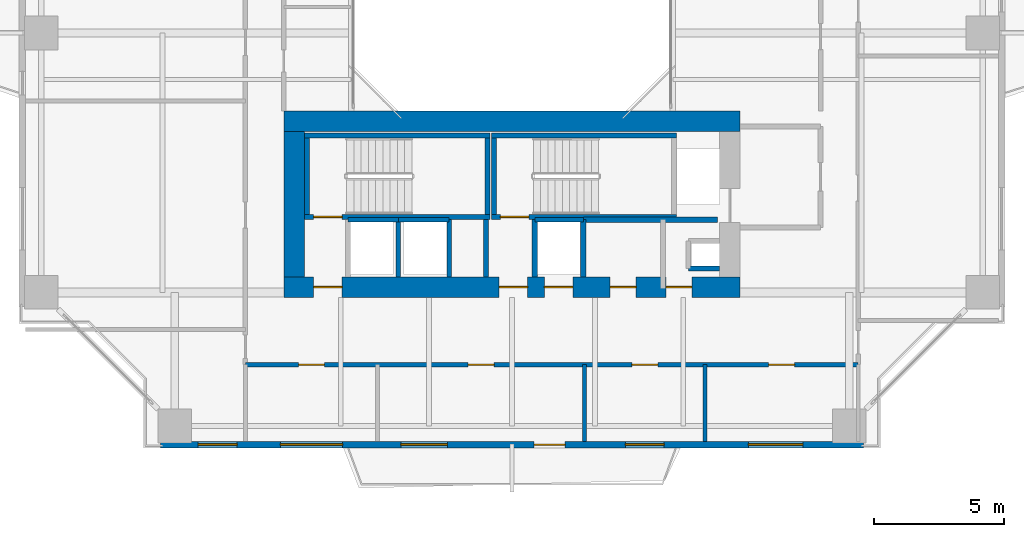
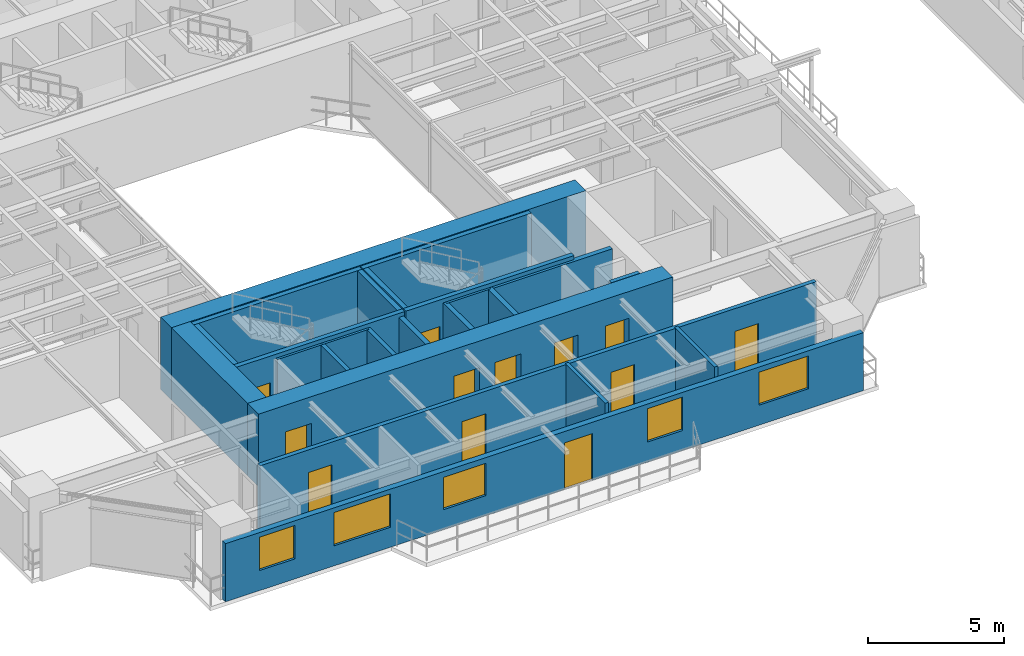
# One storey, part 12 of 23: 24 walls, 12 doors, 5 windows, 17 openings.
"""IFC4 building model written with IfcOpenShell, lengths in metres."""

from ifc_helpers import new_model, si_unit, direction, frame, frame_2d, origin, place, context, subcontext, project, spatial, rectangle, extrude, source, transform, mapped, material, layer, layer_set, type_object, element, fill, save


model = new_model("IFC4")

# Units and contexts
model_context = context("Model", 3, precision=1e-05, world=origin(), true_north=direction((0.0, 1.0)))
body_context = subcontext(model_context, "Body", "Model", "MODEL_VIEW")
ifc_project = project(units=[si_unit("LENGTHUNIT", "METRE"), si_unit("AREAUNIT", "SQUARE_METRE"), si_unit("VOLUMEUNIT", "CUBIC_METRE"), si_unit("PLANEANGLEUNIT", "RADIAN"), si_unit("MASSUNIT", "GRAM", prefix="KILO"), si_unit("THERMODYNAMICTEMPERATUREUNIT", "KELVIN"), si_unit("POWERUNIT", "WATT")], contexts=[model_context])

# Site, building, storey
site_placement = place(None, origin())
site = spatial("IfcSite", under=ifc_project, at=site_placement, CompositionType="ELEMENT")
building_placement = place(site_placement, origin())
building = spatial("IfcBuilding", under=site, at=building_placement, Name="Qiaomeng Ring Towers", CompositionType="ELEMENT")
storey_placement = place(building_placement, frame((0.0, 0.0, 39.25)))
storey = spatial("IfcBuildingStorey", under=building, at=storey_placement, Name="L10", CompositionType="ELEMENT", Elevation=39.25)

# Wall, openings, windows, door
ifc_material_1 = material(Name="Precast concrete C40", Category="concrete")
ifc_layer_1 = layer(ifc_material_1, 0.25, Name="Precast concrete C40")
ifc_layer_set_1 = layer_set([ifc_layer_1], Name="Precast concrete C40")
wall_type_1 = type_object("IfcWallType", Name="ARC-WL-EW1", PredefinedType="STANDARD", material=ifc_layer_set_1)
wall_1_placement = place(storey_placement, frame((5.449951171875, 4.125, 0.0), z_axis=(0.0, 0.0, 1.0), x_axis=(1.0, 0.0, 0.0)))
wall_1 = element("IfcWall", 1, at=wall_1_placement, inside=storey, type_object=wall_type_1, Name="L10 Tower 1 S Exterior Wall", PredefinedType="STANDARD", context=body_context, shape_type="SweptSolid", body=[
    extrude(rectangle(XDim=27.10009765625, YDim=0.25, at=frame_2d((13.550048828125, 0.0))), origin(), (0.0, 0.0, 1.0), 2.610107421875),
])
opening_1_placement = place(wall_1_placement, frame((14.39990234375, 0.0, 0.0)))
opening_1 = element("IfcOpeningElement", 2, at=opening_1_placement, cuts=wall_1, Name="Opening BD1", PredefinedType="OPENING", context=body_context, shape_type="SweptSolid", body=[
    extrude(rectangle(XDim=1.199951171875, YDim=2.10009765625, at=frame_2d((0.60009765625, 1.050048828125))), frame((0.0, 0.135009765625, 0.0), z_axis=(0.0, -1.0, 0.0), x_axis=(1.0, 0.0, 0.0)), (0.0, 0.0, 1.0), 0.27001953125),
])
opening_2_placement = place(wall_1_placement, frame((1.449951171875, 0.0, 0.89990234375)))
opening_2 = element("IfcOpeningElement", 3, at=opening_2_placement, cuts=wall_1, Name="Opening WN2", PredefinedType="OPENING", context=body_context, shape_type="SweptSolid", body=[
    extrude(rectangle(XDim=1.5, YDim=1.5, at=frame_2d((0.75, 0.75))), frame((0.0, 0.135009765625, 0.0), z_axis=(0.0, -1.0, 0.0), x_axis=(1.0, 0.0, 0.0)), (0.0, 0.0, 1.0), 0.27001953125),
])
opening_3_placement = place(wall_1_placement, frame((9.262939453125, 0.0, 0.89990234375)))
opening_3 = element("IfcOpeningElement", 4, at=opening_3_placement, cuts=wall_1, Name="Opening WN1", PredefinedType="OPENING", context=body_context, shape_type="SweptSolid", body=[
    extrude(rectangle(XDim=1.800048828125, YDim=1.449951171875, at=frame_2d((0.89990234375, 0.72509765625))), frame((0.0, 0.135009765625, 0.0), z_axis=(0.0, -1.0, 0.0), x_axis=(1.0, 0.0, 0.0)), (0.0, 0.0, 1.0), 0.27001953125),
])
opening_4_placement = place(wall_1_placement, frame((17.919921875, 0.0, 0.89990234375)))
opening_4 = element("IfcOpeningElement", 5, at=opening_4_placement, cuts=wall_1, Name="Opening WN2", PredefinedType="OPENING", context=body_context, shape_type="SweptSolid", body=[
    extrude(rectangle(XDim=1.5, YDim=1.5, at=frame_2d((0.75, 0.75))), frame((0.0, 0.135009765625, 0.0), z_axis=(0.0, -1.0, 0.0), x_axis=(1.0, 0.0, 0.0)), (0.0, 0.0, 1.0), 0.27001953125),
])
opening_5_placement = place(wall_1_placement, frame((22.6630859375, 0.0, 0.89990234375)))
opening_5 = element("IfcOpeningElement", 6, at=opening_5_placement, cuts=wall_1, Name="Opening WN4", PredefinedType="OPENING", context=body_context, shape_type="SweptSolid", body=[
    extrude(rectangle(XDim=2.10009765625, YDim=1.47998046875, at=frame_2d((1.050048828125, 0.739990234375))), frame((0.0, 0.135009765625, 0.0), z_axis=(0.0, -1.0, 0.0), x_axis=(1.0, 0.0, 0.0)), (0.0, 0.0, 1.0), 0.27001953125),
])
opening_6_placement = place(wall_1_placement, frame((4.6201171875, 0.0, 0.89990234375)))
opening_6 = element("IfcOpeningElement", 7, at=opening_6_placement, cuts=wall_1, Name="Opening WN6", PredefinedType="OPENING", context=body_context, shape_type="SweptSolid", body=[
    extrude(rectangle(XDim=2.39990234375, YDim=1.5, at=frame_2d((1.199951171875, 0.75))), frame((0.0, 0.135009765625, 0.0), z_axis=(0.0, -1.0, 0.0), x_axis=(1.0, 0.0, 0.0)), (0.0, 0.0, 1.0), 0.27001953125),
])
ifc_material_2 = material(Name="Low-E dark-grey laminated double glazing", Category="glass")
window_type_1 = type_object("IfcWindowType", Name="ARC-WN-4", PartitioningType="TRIPLE_PANEL_VERTICAL", PredefinedType="WINDOW", material=ifc_material_2)
shared_shape_1 = source(origin(), body_context, "Body", "SweptSolid", [
    extrude(rectangle(XDim=2.10009765625, YDim=1.47998046875, at=frame_2d((1.050048828125, 0.739990234375))), frame((0.0, 0.030029296875, 0.0), z_axis=(0.0, -1.0, 0.0), x_axis=(1.0, 0.0, 0.0)), (0.0, 0.0, 1.0), 0.06005859375),
])
window_1_placement = place(opening_5_placement, origin())
window_1 = element("IfcWindow", 8, at=window_1_placement, inside=storey, type_object=window_type_1, Name="L10 Exterior Window WN4", OverallHeight=1.47998046875, OverallWidth=2.10009765625, PartitioningType="TRIPLE_PANEL_VERTICAL", PredefinedType="WINDOW", context=body_context, shape_type="MappedRepresentation", body=[
    mapped(shared_shape_1, transform((0.0, 0.0, 0.0), x_axis=(1.0, 0.0, 0.0), y_axis=(0.0, 1.0, 0.0), z_axis=(0.0, 0.0, 1.0), scale=1.0)),
])
fill(opening_5, window_1)
window_type_2 = type_object("IfcWindowType", Name="ARC-WN-1", PartitioningType="DOUBLE_PANEL_VERTICAL", PredefinedType="WINDOW", material=ifc_material_2)
shared_shape_2 = source(origin(), body_context, "Body", "SweptSolid", [
    extrude(rectangle(XDim=1.800048828125, YDim=1.449951171875, at=frame_2d((0.89990234375, 0.72509765625))), frame((0.0, 0.030029296875, 0.0), z_axis=(0.0, -1.0, 0.0), x_axis=(1.0, 0.0, 0.0)), (0.0, 0.0, 1.0), 0.06005859375),
])
window_2_placement = place(opening_3_placement, origin())
window_2 = element("IfcWindow", 9, at=window_2_placement, inside=storey, type_object=window_type_2, Name="L10 Exterior Window WN1", OverallHeight=1.449951171875, OverallWidth=1.800048828125, PartitioningType="DOUBLE_PANEL_VERTICAL", PredefinedType="WINDOW", context=body_context, shape_type="MappedRepresentation", body=[
    mapped(shared_shape_2, transform((0.0, 0.0, 0.0), x_axis=(1.0, 0.0, 0.0), y_axis=(0.0, 1.0, 0.0), z_axis=(0.0, 0.0, 1.0), scale=1.0)),
])
fill(opening_3, window_2)
door_type_1 = type_object("IfcDoorType", Name="ARC-DR-BD1", OperationType="NOTDEFINED", PredefinedType="DOOR", material=ifc_material_2)
shared_shape_3 = source(origin(), body_context, "Body", "SweptSolid", [
    extrude(rectangle(XDim=1.199951171875, YDim=2.10009765625, at=frame_2d((0.60009765625, 1.050048828125))), frame((0.0, 0.02490234375, 0.0), z_axis=(0.0, -1.0, 0.0), x_axis=(1.0, 0.0, 0.0)), (0.0, 0.0, 1.0), 0.050048828125),
])
door_1_placement = place(opening_1_placement, frame((1.199951171875, 0.0, 0.0), z_axis=(0.0, 0.0, 1.0), x_axis=(-1.0, 0.0, 0.0)))
door_1 = element("IfcDoor", 10, at=door_1_placement, inside=storey, type_object=door_type_1, Name="L10 S Balcony Glazed Door", OperationType="SINGLE_SWING_LEFT", OverallHeight=2.10009765625, OverallWidth=1.199951171875, PredefinedType="DOOR", context=body_context, shape_type="MappedRepresentation", body=[
    mapped(shared_shape_3, transform((0.0, 0.0, 0.0), x_axis=(1.0, 0.0, 0.0), y_axis=(0.0, 1.0, 0.0), z_axis=(0.0, 0.0, 1.0), scale=1.0)),
])
fill(opening_1, door_1)
window_type_3 = type_object("IfcWindowType", Name="ARC-WN-2", PartitioningType="DOUBLE_PANEL_VERTICAL", PredefinedType="WINDOW", material=ifc_material_2)
shared_shape_4 = source(origin(), body_context, "Body", "SweptSolid", [
    extrude(rectangle(XDim=1.5, YDim=1.5, at=frame_2d((0.75, 0.75))), frame((0.0, 0.030029296875, 0.0), z_axis=(0.0, -1.0, 0.0), x_axis=(1.0, 0.0, 0.0)), (0.0, 0.0, 1.0), 0.06005859375),
])
window_3_placement = place(opening_2_placement, origin())
window_3 = element("IfcWindow", 11, at=window_3_placement, inside=storey, type_object=window_type_3, Name="L10 Exterior Window WN6", OverallHeight=1.5, OverallWidth=1.5, PartitioningType="TRIPLE_PANEL_VERTICAL", PredefinedType="WINDOW", context=body_context, shape_type="MappedRepresentation", body=[
    mapped(shared_shape_4, transform((0.0, 0.0, 0.0), x_axis=(1.0, 0.0, 0.0), y_axis=(0.0, 1.0, 0.0), z_axis=(0.0, 0.0, 1.0), scale=1.0)),
])
fill(opening_2, window_3)
window_4_placement = place(opening_4_placement, origin())
window_4 = element("IfcWindow", 12, at=window_4_placement, inside=storey, type_object=window_type_3, Name="L10 Exterior Window WN2", OverallHeight=1.5, OverallWidth=1.5, PartitioningType="DOUBLE_PANEL_VERTICAL", PredefinedType="WINDOW", context=body_context, shape_type="MappedRepresentation", body=[
    mapped(shared_shape_4, transform((0.0, 0.0, 0.0), x_axis=(1.0, 0.0, 0.0), y_axis=(0.0, 1.0, 0.0), z_axis=(0.0, 0.0, 1.0), scale=1.0)),
])
fill(opening_4, window_4)
window_type_4 = type_object("IfcWindowType", Name="ARC-WN-6", PartitioningType="TRIPLE_PANEL_VERTICAL", PredefinedType="WINDOW", material=ifc_material_2)
shared_shape_5 = source(origin(), body_context, "Body", "SweptSolid", [
    extrude(rectangle(XDim=2.39990234375, YDim=1.5, at=frame_2d((1.199951171875, 0.75))), frame((0.0, 0.030029296875, 0.0), z_axis=(0.0, -1.0, 0.0), x_axis=(1.0, 0.0, 0.0)), (0.0, 0.0, 1.0), 0.06005859375),
])
window_5_placement = place(opening_6_placement, origin())
window_5 = element("IfcWindow", 13, at=window_5_placement, inside=storey, type_object=window_type_4, Name="L10 Exterior Window WN6", OverallHeight=1.5, OverallWidth=2.39990234375, PartitioningType="TRIPLE_PANEL_VERTICAL", PredefinedType="WINDOW", context=body_context, shape_type="MappedRepresentation", body=[
    mapped(shared_shape_5, transform((0.0, 0.0, 0.0), x_axis=(1.0, 0.0, 0.0), y_axis=(0.0, 1.0, 0.0), z_axis=(0.0, 0.0, 1.0), scale=1.0)),
])
fill(opening_6, window_5)

# Walls
ifc_material_3 = material(Name="Autoclaved aerated concrete block", Category="concrete")
ifc_layer_2 = layer(ifc_material_3, 0.199951171875, Name="Autoclaved aerated concrete block")
ifc_layer_set_2 = layer_set([ifc_layer_2], Name="Autoclaved aerated concrete block")
wall_type_2 = type_object("IfcWallType", Name="ARC-WL-PW1", PredefinedType="PARTITIONING", material=ifc_layer_set_2)
for number, where, z_axis, x_axis, name in (
    (14, (18.0, 10.60009765625, 0.0), (0.0, 0.0, 1.0), (0.0, 1.0, 0.0), "L10 Interior Wall PW1"),
    (15, (19.8798828125, 10.60009765625, 0.0), (0.0, 0.0, 1.0), (0.0, 1.0, 0.0), "L10 Interior Wall PW1"),
):
    element("IfcWall", number, at=place(storey_placement, frame(where, z_axis=z_axis, x_axis=x_axis)), inside=storey, type_object=wall_type_2, Name=name, PredefinedType="PARTITIONING", context=body_context, shape_type="SweptSolid", body=[
        extrude(rectangle(XDim=2.2099609375, YDim=0.199951171875, at=frame_2d((1.10498046875, 0.0))), origin(), (0.0, 0.0, 1.0), 3.070068359375),
    ])
wall_2_placement = place(storey_placement, frame((21.75, 10.60009765625, 0.0), z_axis=(0.0, 0.0, 1.0), x_axis=(0.0, 1.0, 0.0)))
element("IfcWall", 16, at=wall_2_placement, inside=storey, type_object=wall_type_2, Name="L10 Interior Wall PW1", PredefinedType="PARTITIONING", context=body_context, shape_type="SweptSolid", body=[
    extrude(rectangle(XDim=2.199951171875, YDim=0.199951171875, at=frame_2d((1.10009765625, 0.0))), origin(), (0.0, 0.0, 1.0), 3.070068359375),
])
wall_3_placement = place(storey_placement, frame((21.75, 12.800048828125, 0.0), z_axis=(0.0, 0.0, 1.0), x_axis=(1.0, 0.0, 0.0)))
element("IfcWall", 17, at=wall_3_placement, inside=storey, type_object=wall_type_2, Name="L10 Interior Wall PW1", PredefinedType="PARTITIONING", context=body_context, shape_type="SweptSolid", body=[
    extrude(rectangle(XDim=5.169921875, YDim=0.199951171875, at=frame_2d((2.5849609375, 0.0))), origin(), (0.0, 0.0, 1.0), 3.070068359375),
])

# Wall, openings, doors
ifc_layer_3 = layer(ifc_material_3, 0.179931640625, Name="Autoclaved aerated concrete block")
ifc_layer_set_3 = layer_set([ifc_layer_3], Name="Autoclaved aerated concrete block")
wall_type_3 = type_object("IfcWallType", Name="ARC-WL-PW2", PredefinedType="PARTITIONING", material=ifc_layer_set_3)
wall_4_placement = place(storey_placement, frame((8.719970703125, 7.2099609375, 0.0), z_axis=(0.0, 0.0, 1.0), x_axis=(1.0, 0.0, 0.0)))
wall_4 = element("IfcWall", 18, at=wall_4_placement, inside=storey, type_object=wall_type_3, Name="L10 Interior Wall PW2", PredefinedType="PARTITIONING", context=body_context, shape_type="SweptSolid", body=[
    extrude(rectangle(XDim=23.630126953125, YDim=0.179931640625, at=frame_2d((11.81494140625, 0.0))), origin(), (0.0, 0.0, 1.0), 3.070068359375),
])
opening_7_placement = place(wall_4_placement, frame((2.050048828125, 0.0, 0.0)))
opening_7 = element("IfcOpeningElement", 19, at=opening_7_placement, cuts=wall_4, Name="Opening FD4", PredefinedType="OPENING", context=body_context, shape_type="SweptSolid", body=[
    extrude(rectangle(XDim=1.0, YDim=2.050048828125, at=frame_2d((0.5, 1.02490234375))), frame((0.0, 0.099853515625, 0.0), z_axis=(0.0, -1.0, 0.0), x_axis=(1.0, 0.0, 0.0)), (0.0, 0.0, 1.0), 0.199951171875),
])
opening_8_placement = place(wall_4_placement, frame((8.590087890625, 0.0, 0.0)))
opening_8 = element("IfcOpeningElement", 20, at=opening_8_placement, cuts=wall_4, Name="Opening FD4", PredefinedType="OPENING", context=body_context, shape_type="SweptSolid", body=[
    extrude(rectangle(XDim=1.0, YDim=2.050048828125, at=frame_2d((0.5, 1.02490234375))), frame((0.0, 0.099853515625, 0.0), z_axis=(0.0, -1.0, 0.0), x_axis=(1.0, 0.0, 0.0)), (0.0, 0.0, 1.0), 0.199951171875),
])
opening_9_placement = place(wall_4_placement, frame((14.89990234375, 0.0, 0.0)))
opening_9 = element("IfcOpeningElement", 21, at=opening_9_placement, cuts=wall_4, Name="Opening FD4", PredefinedType="OPENING", context=body_context, shape_type="SweptSolid", body=[
    extrude(rectangle(XDim=1.0, YDim=2.050048828125, at=frame_2d((0.5, 1.02490234375))), frame((0.0, 0.099853515625, 0.0), z_axis=(0.0, -1.0, 0.0), x_axis=(1.0, 0.0, 0.0)), (0.0, 0.0, 1.0), 0.199951171875),
])
opening_10_placement = place(wall_4_placement, frame((20.175048828125, 0.0, 0.0)))
opening_10 = element("IfcOpeningElement", 22, at=opening_10_placement, cuts=wall_4, Name="Opening FD4", PredefinedType="OPENING", context=body_context, shape_type="SweptSolid", body=[
    extrude(rectangle(XDim=1.0, YDim=2.050048828125, at=frame_2d((0.5, 1.02490234375))), frame((0.0, 0.099853515625, 0.0), z_axis=(0.0, -1.0, 0.0), x_axis=(1.0, 0.0, 0.0)), (0.0, 0.0, 1.0), 0.199951171875),
])
ifc_material_4 = material(Name="Engineered fire-rated oak timber", Category="wood")
door_type_2 = type_object("IfcDoorType", Name="ARC-DR-FD4", OperationType="NOTDEFINED", PredefinedType="DOOR", material=ifc_material_4)
shared_shape_6 = source(origin(), body_context, "Body", "SweptSolid", [
    extrude(rectangle(XDim=1.0, YDim=2.050048828125, at=frame_2d((0.5, 1.02490234375))), frame((0.0, 0.02490234375, 0.0), z_axis=(0.0, -1.0, 0.0), x_axis=(1.0, 0.0, 0.0)), (0.0, 0.0, 1.0), 0.050048828125),
])
door_2_placement = place(opening_7_placement, origin())
door_2 = element("IfcDoor", 23, at=door_2_placement, inside=storey, type_object=door_type_2, Name="L10 Door FD4", OperationType="SINGLE_SWING_RIGHT", OverallHeight=2.050048828125, OverallWidth=1.0, PredefinedType="DOOR", context=body_context, shape_type="MappedRepresentation", body=[
    mapped(shared_shape_6, transform((0.0, 0.0, 0.0), x_axis=(1.0, 0.0, 0.0), y_axis=(0.0, 1.0, 0.0), z_axis=(0.0, 0.0, 1.0), scale=1.0)),
])
fill(opening_7, door_2)
door_3_placement = place(opening_8_placement, origin())
door_3 = element("IfcDoor", 24, at=door_3_placement, inside=storey, type_object=door_type_2, Name="L10 Door FD4", OperationType="SINGLE_SWING_LEFT", OverallHeight=2.050048828125, OverallWidth=1.0, PredefinedType="DOOR", context=body_context, shape_type="MappedRepresentation", body=[
    mapped(shared_shape_6, transform((0.0, 0.0, 0.0), x_axis=(1.0, 0.0, 0.0), y_axis=(0.0, 1.0, 0.0), z_axis=(0.0, 0.0, 1.0), scale=1.0)),
])
fill(opening_8, door_3)
door_4_placement = place(opening_9_placement, origin())
door_4 = element("IfcDoor", 25, at=door_4_placement, inside=storey, type_object=door_type_2, Name="L10 Door FD4", OperationType="SINGLE_SWING_RIGHT", OverallHeight=2.050048828125, OverallWidth=1.0, PredefinedType="DOOR", context=body_context, shape_type="MappedRepresentation", body=[
    mapped(shared_shape_6, transform((0.0, 0.0, 0.0), x_axis=(1.0, 0.0, 0.0), y_axis=(0.0, 1.0, 0.0), z_axis=(0.0, 0.0, 1.0), scale=1.0)),
])
fill(opening_9, door_4)
door_5_placement = place(opening_10_placement, origin())
door_5 = element("IfcDoor", 26, at=door_5_placement, inside=storey, type_object=door_type_2, Name="L10 Door FD4", OperationType="SINGLE_SWING_LEFT", OverallHeight=2.050048828125, OverallWidth=1.0, PredefinedType="DOOR", context=body_context, shape_type="MappedRepresentation", body=[
    mapped(shared_shape_6, transform((0.0, 0.0, 0.0), x_axis=(1.0, 0.0, 0.0), y_axis=(0.0, 1.0, 0.0), z_axis=(0.0, 0.0, 1.0), scale=1.0)),
])
fill(opening_10, door_5)

# Walls
ifc_material_5 = material(Name="Gypsum fireboard steel-stud partition", Category="steel")
ifc_layer_4 = layer(ifc_material_5, 0.14990234375, Name="Gypsum fireboard steel-stud partition")
ifc_layer_set_4 = layer_set([ifc_layer_4], Name="Gypsum fireboard steel-stud partition")
wall_type_4 = type_object("IfcWallType", Name="ARC-WL-PW3", PredefinedType="PARTITIONING", material=ifc_layer_set_4)
for number, where, z_axis, x_axis, name in (
    (27, (21.800048828125, 4.25, 0.0), (0.0, 0.0, 1.0), (0.0, 1.0, 0.0), "L10 Interior Wall PW3"),
    (28, (26.43994140625, 4.25, 0.0), (0.0, 0.0, 1.0), (0.0, 1.0, 0.0), "L10 Interior Wall PW3"),
):
    element("IfcWall", number, at=place(storey_placement, frame(where, z_axis=z_axis, x_axis=x_axis)), inside=storey, type_object=wall_type_4, Name=name, PredefinedType="PARTITIONING", context=body_context, shape_type="SweptSolid", body=[
        extrude(rectangle(XDim=2.9599609375, YDim=0.14990234375, at=frame_2d((1.47998046875, 0.0))), origin(), (0.0, 0.0, 1.0), 3.070068359375),
    ])
ifc_material_6 = material(Name="Concrete C40", Category="concrete")
ifc_layer_5 = layer(ifc_material_6, 0.199951171875, Name="Concrete C40")
ifc_layer_set_5 = layer_set([ifc_layer_5], Name="Concrete C40")
wall_type_5 = type_object("IfcWallType", Name="STR-WL-STSHAFT", PredefinedType="SHEAR", material=ifc_layer_set_5)
wall_5_placement = place(storey_placement, frame((12.679931640625, 12.800048828125, 0.0), z_axis=(0.0, 0.0, 1.0), x_axis=(1.0, 0.0, 0.0)))
element("IfcWall", 29, at=wall_5_placement, inside=storey, type_object=wall_type_5, Name="L10 Lift LP6 Shaft Back Wall", PredefinedType="SHEAR", context=body_context, shape_type="SweptSolid", body=[
    extrude(rectangle(XDim=1.940185546875, YDim=0.179931640625, at=frame_2d((0.97021484375, 0.0))), origin(), (0.0, 0.0, 1.0), 3.070068359375),
])
wall_6_placement = place(storey_placement, frame((14.6201171875, 10.60009765625, 0.0), z_axis=(0.0, 0.0, 1.0), x_axis=(0.0, 1.0, 0.0)))
element("IfcWall", 30, at=wall_6_placement, inside=storey, type_object=wall_type_5, Name="L10 Lift LP6-LP4 Shaft Divider Wall", PredefinedType="SHEAR", context=body_context, shape_type="SweptSolid", body=[
    extrude(rectangle(XDim=2.199951171875, YDim=0.179931640625, at=frame_2d((1.10009765625, 0.0))), origin(), (0.0, 0.0, 1.0), 3.070068359375),
])
wall_7_placement = place(storey_placement, frame((25.800048828125, 10.919921875, 0.0), z_axis=(0.0, 0.0, 1.0), x_axis=(1.0, 0.0, 0.0)))
element("IfcWall", 31, at=wall_7_placement, inside=storey, type_object=wall_type_5, Name="L10 Riser RSR1 South Shaft Wall S", PredefinedType="SHEAR", context=body_context, shape_type="SweptSolid", body=[
    extrude(rectangle(XDim=1.199951171875, YDim=0.179931640625, at=frame_2d((0.60009765625, 0.0))), origin(), (0.0, 0.0, 1.0), 3.070068359375),
])
wall_8_placement = place(storey_placement, frame((14.6201171875, 12.800048828125, 0.0), z_axis=(0.0, 0.0, 1.0), x_axis=(1.0, 0.0, 0.0)))
element("IfcWall", 32, at=wall_8_placement, inside=storey, type_object=wall_type_5, Name="L10 Lift LP4 Shaft Back Wall", PredefinedType="SHEAR", context=body_context, shape_type="SweptSolid", body=[
    extrude(rectangle(XDim=1.9599609375, YDim=0.179931640625, at=frame_2d((0.97998046875, 0.0))), origin(), (0.0, 0.0, 1.0), 3.070068359375),
])
wall_9_placement = place(storey_placement, frame((16.580078125, 10.60009765625, 0.0), z_axis=(0.0, 0.0, 1.0), x_axis=(0.0, 1.0, 0.0)))
element("IfcWall", 33, at=wall_9_placement, inside=storey, type_object=wall_type_5, Name="L10 Lift LP4 East Shaft Wall", PredefinedType="SHEAR", context=body_context, shape_type="SweptSolid", body=[
    extrude(rectangle(XDim=2.199951171875, YDim=0.179931640625, at=frame_2d((1.10009765625, 0.0))), origin(), (0.0, 0.0, 1.0), 3.070068359375),
])
wall_10_placement = place(storey_placement, frame((19.8798828125, 12.800048828125, 0.0), z_axis=(0.0, 0.0, 1.0), x_axis=(1.0, 0.0, 0.0)))
element("IfcWall", 34, at=wall_10_placement, inside=storey, type_object=wall_type_5, Name="L10 Lift LP2 Shaft Back Wall", PredefinedType="SHEAR", context=body_context, shape_type="SweptSolid", body=[
    extrude(rectangle(XDim=1.8701171875, YDim=0.179931640625, at=frame_2d((0.93505859375, 0.0))), origin(), (0.0, 0.0, 1.0), 3.070068359375),
])

# Wall, opening, door
wall_11_placement = place(storey_placement, frame((11.0, 12.909912109375, 0.0), z_axis=(0.0, 0.0, 1.0), x_axis=(1.0, 0.0, 0.0)))
wall_11 = element("IfcWall", 35, at=wall_11_placement, inside=storey, type_object=wall_type_5, Name="L10 Stair ST3 South Shaft Shear Wall", PredefinedType="SHEAR", context=body_context, shape_type="SweptSolid", body=[
    extrude(rectangle(XDim=7.14990234375, YDim=0.199951171875, at=frame_2d((3.574951171875, 0.0))), origin(), (0.0, 0.0, 1.0), 3.25),
])
opening_11_placement = place(wall_11_placement, frame((0.35009765625, 0.0, 0.0)))
opening_11 = element("IfcOpeningElement", 36, at=opening_11_placement, cuts=wall_11, Name="Opening FD3", PredefinedType="OPENING", context=body_context, shape_type="SweptSolid", body=[
    extrude(rectangle(XDim=1.10009765625, YDim=2.050048828125, at=frame_2d((0.550048828125, 1.02490234375))), frame((0.0, 0.10986328125, 0.0), z_axis=(0.0, -1.0, 0.0), x_axis=(1.0, 0.0, 0.0)), (0.0, 0.0, 1.0), 0.219970703125),
])
ifc_material_7 = material(Name="Galvanised steel", Category="steel")
door_type_3 = type_object("IfcDoorType", Name="ARC-DR-FD3", OperationType="NOTDEFINED", PredefinedType="DOOR", material=ifc_material_7)
shared_shape_7 = source(origin(), body_context, "Body", "SweptSolid", [
    extrude(rectangle(XDim=1.10009765625, YDim=2.050048828125, at=frame_2d((0.550048828125, 1.02490234375))), frame((0.0, 0.02490234375, 0.0), z_axis=(0.0, -1.0, 0.0), x_axis=(1.0, 0.0, 0.0)), (0.0, 0.0, 1.0), 0.050048828125),
])
door_6_placement = place(opening_11_placement, frame((1.10009765625, 0.0, 0.0), z_axis=(0.0, 0.0, 1.0), x_axis=(-1.0, 0.0, 0.0)))
door_6 = element("IfcDoor", 37, at=door_6_placement, inside=storey, type_object=door_type_3, Name="L10 Stair ST3 Exit Door", OperationType="SINGLE_SWING_RIGHT", OverallHeight=2.050048828125, OverallWidth=1.10009765625, PredefinedType="DOOR", context=body_context, shape_type="MappedRepresentation", body=[
    mapped(shared_shape_7, transform((0.0, 0.0, 0.0), x_axis=(1.0, 0.0, 0.0), y_axis=(0.0, 1.0, 0.0), z_axis=(0.0, 0.0, 1.0), scale=1.0)),
])
fill(opening_11, door_6)

# Walls
wall_12_placement = place(storey_placement, frame((11.0, 16.050048828125, 0.0), z_axis=(0.0, 0.0, 1.0), x_axis=(1.0, 0.0, 0.0)))
element("IfcWall", 38, at=wall_12_placement, inside=storey, type_object=wall_type_5, Name="L10 Stair ST3 North Shaft Shear Wall", PredefinedType="SHEAR", context=body_context, shape_type="SweptSolid", body=[
    extrude(rectangle(XDim=7.14990234375, YDim=0.199951171875, at=frame_2d((3.574951171875, 0.0))), origin(), (0.0, 0.0, 1.0), 3.25),
])
for number, where, z_axis, x_axis, name in (
    (39, (11.10009765625, 13.010009765625, 0.0), (0.0, 0.0, 1.0), (0.0, 1.0, 0.0), "L10 Stair ST3 West Shaft Shear Wall"),
    (40, (18.050048828125, 13.010009765625, 0.0), (0.0, 0.0, 1.0), (0.0, 1.0, 0.0), "L10 Stair ST3 East Shaft Shear Wall"),
):
    element("IfcWall", number, at=place(storey_placement, frame(where, z_axis=z_axis, x_axis=x_axis)), inside=storey, type_object=wall_type_5, Name=name, PredefinedType="SHEAR", context=body_context, shape_type="SweptSolid", body=[
        extrude(rectangle(XDim=2.93994140625, YDim=0.199951171875, at=frame_2d((1.469970703125, 0.0))), origin(), (0.0, 0.0, 1.0), 3.25),
    ])

# Wall, opening, door
wall_13_placement = place(storey_placement, frame((18.199951171875, 12.909912109375, 0.0), z_axis=(0.0, 0.0, 1.0), x_axis=(1.0, 0.0, 0.0)))
wall_13 = element("IfcWall", 41, at=wall_13_placement, inside=storey, type_object=wall_type_5, Name="L10 Stair ST4 South Shaft Shear Wall", PredefinedType="SHEAR", context=body_context, shape_type="SweptSolid", body=[
    extrude(rectangle(XDim=7.150146484375, YDim=0.199951171875, at=frame_2d((3.5751953125, 0.0))), origin(), (0.0, 0.0, 1.0), 3.25),
])
opening_12_placement = place(wall_13_placement, frame((0.35009765625, 0.0, 0.0)))
opening_12 = element("IfcOpeningElement", 42, at=opening_12_placement, cuts=wall_13, Name="Opening FD3", PredefinedType="OPENING", context=body_context, shape_type="SweptSolid", body=[
    extrude(rectangle(XDim=1.10009765625, YDim=2.050048828125, at=frame_2d((0.550048828125, 1.02490234375))), frame((0.0, 0.10986328125, 0.0), z_axis=(0.0, -1.0, 0.0), x_axis=(1.0, 0.0, 0.0)), (0.0, 0.0, 1.0), 0.219970703125),
])
door_7_placement = place(opening_12_placement, frame((1.10009765625, 0.0, 0.0), z_axis=(0.0, 0.0, 1.0), x_axis=(-1.0, 0.0, 0.0)))
door_7 = element("IfcDoor", 43, at=door_7_placement, inside=storey, type_object=door_type_3, Name="L10 Stair ST4 Exit Door", OperationType="SINGLE_SWING_RIGHT", OverallHeight=2.050048828125, OverallWidth=1.10009765625, PredefinedType="DOOR", context=body_context, shape_type="MappedRepresentation", body=[
    mapped(shared_shape_7, transform((0.0, 0.0, 0.0), x_axis=(1.0, 0.0, 0.0), y_axis=(0.0, 1.0, 0.0), z_axis=(0.0, 0.0, 1.0), scale=1.0)),
])
fill(opening_12, door_7)

# Walls
wall_14_placement = place(storey_placement, frame((18.199951171875, 16.050048828125, 0.0), z_axis=(0.0, 0.0, 1.0), x_axis=(1.0, 0.0, 0.0)))
element("IfcWall", 44, at=wall_14_placement, inside=storey, type_object=wall_type_5, Name="L10 Stair ST4 North Shaft Shear Wall", PredefinedType="SHEAR", context=body_context, shape_type="SweptSolid", body=[
    extrude(rectangle(XDim=7.150146484375, YDim=0.199951171875, at=frame_2d((3.5751953125, 0.0))), origin(), (0.0, 0.0, 1.0), 3.25),
])
wall_15_placement = place(storey_placement, frame((18.300048828125, 13.010009765625, 0.0), z_axis=(0.0, 0.0, 1.0), x_axis=(0.0, 1.0, 0.0)))
element("IfcWall", 45, at=wall_15_placement, inside=storey, type_object=wall_type_5, Name="L10 Stair ST4 West Shaft Shear Wall", PredefinedType="SHEAR", context=body_context, shape_type="SweptSolid", body=[
    extrude(rectangle(XDim=2.93994140625, YDim=0.199951171875, at=frame_2d((1.469970703125, 0.0))), origin(), (0.0, 0.0, 1.0), 3.25),
])

# Wall, openings, doors
ifc_material_8 = material(Name="Concrete C60", Category="concrete")
ifc_layer_6 = layer(ifc_material_8, 0.800048828125, Name="Concrete C60")
ifc_layer_set_6 = layer_set([ifc_layer_6], Name="Concrete C60")
wall_type_6 = type_object("IfcWallType", Name="STR-WL-SW1", PredefinedType="SHEAR", material=ifc_layer_set_6)
wall_16_placement = place(storey_placement, frame((10.199951171875, 10.199951171875, 0.0), z_axis=(0.0, 0.0, 1.0), x_axis=(1.0, 0.0, 0.0)))
wall_16 = element("IfcWall", 46, at=wall_16_placement, inside=storey, type_object=wall_type_6, Name="L10 T1SC south core shear wall", PredefinedType="SHEAR", context=body_context, shape_type="SweptSolid", body=[
    extrude(rectangle(XDim=17.60009765625, YDim=0.800048828125, at=frame_2d((8.800048828125, 0.0))), origin(), (0.0, 0.0, 1.0), 3.25),
])
opening_13_placement = place(wall_16_placement, frame((1.14990234375, 0.0, 0.0)))
opening_13 = element("IfcOpeningElement", 47, at=opening_13_placement, cuts=wall_16, Name="Opening FD3", PredefinedType="OPENING", context=body_context, shape_type="SweptSolid", body=[
    extrude(rectangle(XDim=1.10009765625, YDim=2.050048828125, at=frame_2d((0.550048828125, 1.02490234375))), frame((0.0, 0.409912109375, 0.0), z_axis=(0.0, -1.0, 0.0), x_axis=(1.0, 0.0, 0.0)), (0.0, 0.0, 1.0), 0.820068359375),
])
opening_14_placement = place(wall_16_placement, frame((8.300048828125, 0.0, 0.0)))
opening_14 = element("IfcOpeningElement", 48, at=opening_14_placement, cuts=wall_16, Name="Opening FD3", PredefinedType="OPENING", context=body_context, shape_type="SweptSolid", body=[
    extrude(rectangle(XDim=1.10009765625, YDim=2.050048828125, at=frame_2d((0.550048828125, 1.02490234375))), frame((0.0, 0.409912109375, 0.0), z_axis=(0.0, -1.0, 0.0), x_axis=(1.0, 0.0, 0.0)), (0.0, 0.0, 1.0), 0.820068359375),
])
opening_15_placement = place(wall_16_placement, frame((10.050048828125, 0.0, 0.0)))
opening_15 = element("IfcOpeningElement", 49, at=opening_15_placement, cuts=wall_16, Name="Opening LD1", PredefinedType="OPENING", context=body_context, shape_type="SweptSolid", body=[
    extrude(rectangle(XDim=1.10009765625, YDim=2.050048828125, at=frame_2d((0.550048828125, 1.02490234375))), frame((0.0, 0.409912109375, 0.0), z_axis=(0.0, -1.0, 0.0), x_axis=(1.0, 0.0, 0.0)), (0.0, 0.0, 1.0), 0.820068359375),
])
opening_16_placement = place(wall_16_placement, frame((14.739990234375, 0.0, 0.0)))
opening_16 = element("IfcOpeningElement", 50, at=opening_16_placement, cuts=wall_16, Name="Opening FD1", PredefinedType="OPENING", context=body_context, shape_type="SweptSolid", body=[
    extrude(rectangle(XDim=1.0, YDim=2.050048828125, at=frame_2d((0.5, 1.02490234375))), frame((0.0, 0.409912109375, 0.0), z_axis=(0.0, -1.0, 0.0), x_axis=(1.0, 0.0, 0.0)), (0.0, 0.0, 1.0), 0.820068359375),
])
opening_17_placement = place(wall_16_placement, frame((12.5849609375, 0.0, 0.0)))
opening_17 = element("IfcOpeningElement", 51, at=opening_17_placement, cuts=wall_16, Name="Opening FD1", PredefinedType="OPENING", context=body_context, shape_type="SweptSolid", body=[
    extrude(rectangle(XDim=1.0, YDim=2.050048828125, at=frame_2d((0.5, 1.02490234375))), frame((0.0, 0.409912109375, 0.0), z_axis=(0.0, -1.0, 0.0), x_axis=(1.0, 0.0, 0.0)), (0.0, 0.0, 1.0), 0.820068359375),
])
door_8_placement = place(opening_13_placement, origin())
door_8 = element("IfcDoor", 52, at=door_8_placement, inside=storey, type_object=door_type_3, Name="L10 Stair ST3 Lobby Door", OperationType="SINGLE_SWING_LEFT", OverallHeight=2.050048828125, OverallWidth=1.10009765625, PredefinedType="DOOR", context=body_context, shape_type="MappedRepresentation", body=[
    mapped(shared_shape_7, transform((0.0, 0.0, 0.0), x_axis=(1.0, 0.0, 0.0), y_axis=(0.0, 1.0, 0.0), z_axis=(0.0, 0.0, 1.0), scale=1.0)),
])
fill(opening_13, door_8)
door_9_placement = place(opening_14_placement, origin())
door_9 = element("IfcDoor", 53, at=door_9_placement, inside=storey, type_object=door_type_3, Name="L10 Stair ST4 Lobby Door", OperationType="SINGLE_SWING_LEFT", OverallHeight=2.050048828125, OverallWidth=1.10009765625, PredefinedType="DOOR", context=body_context, shape_type="MappedRepresentation", body=[
    mapped(shared_shape_7, transform((0.0, 0.0, 0.0), x_axis=(1.0, 0.0, 0.0), y_axis=(0.0, 1.0, 0.0), z_axis=(0.0, 0.0, 1.0), scale=1.0)),
])
fill(opening_14, door_9)
ifc_material_9 = material(Name="Stainless steel 316", Category="steel")
door_type_4 = type_object("IfcDoorType", Name="ARC-DR-LD1", OperationType="NOTDEFINED", PredefinedType="DOOR", material=ifc_material_9)
door_10_placement = place(opening_15_placement, origin())
door_10 = element("IfcDoor", 54, at=door_10_placement, inside=storey, type_object=door_type_4, Name="L10 Low-Zone Lift LP2 Landing Door", OperationType="SLIDING_TO_RIGHT", OverallHeight=2.050048828125, OverallWidth=1.10009765625, PredefinedType="DOOR", context=body_context, shape_type="MappedRepresentation", body=[
    mapped(shared_shape_7, transform((0.0, 0.0, 0.0), x_axis=(1.0, 0.0, 0.0), y_axis=(0.0, 1.0, 0.0), z_axis=(0.0, 0.0, 1.0), scale=1.0)),
])
fill(opening_15, door_10)
door_type_5 = type_object("IfcDoorType", Name="ARC-DR-FD1", OperationType="NOTDEFINED", PredefinedType="DOOR", material=ifc_material_7)
door_11_placement = place(opening_16_placement, origin())
door_11 = element("IfcDoor", 55, at=door_11_placement, inside=storey, type_object=door_type_5, Name="L10 South Electrical Riser Door", OperationType="SINGLE_SWING_RIGHT", OverallHeight=2.050048828125, OverallWidth=1.0, PredefinedType="DOOR", context=body_context, shape_type="MappedRepresentation", body=[
    mapped(shared_shape_6, transform((0.0, 0.0, 0.0), x_axis=(1.0, 0.0, 0.0), y_axis=(0.0, 1.0, 0.0), z_axis=(0.0, 0.0, 1.0), scale=1.0)),
])
fill(opening_16, door_11)
door_12_placement = place(opening_17_placement, origin())
door_12 = element("IfcDoor", 56, at=door_12_placement, inside=storey, type_object=door_type_5, Name="L10 South Building Management Office Door", OperationType="SINGLE_SWING_LEFT", OverallHeight=2.050048828125, OverallWidth=1.0, PredefinedType="DOOR", context=body_context, shape_type="MappedRepresentation", body=[
    mapped(shared_shape_6, transform((0.0, 0.0, 0.0), x_axis=(1.0, 0.0, 0.0), y_axis=(0.0, 1.0, 0.0), z_axis=(0.0, 0.0, 1.0), scale=1.0)),
])
fill(opening_17, door_12)

# Walls
wall_17_placement = place(storey_placement, frame((10.199951171875, 16.60009765625, 0.0), z_axis=(0.0, 0.0, 1.0), x_axis=(1.0, 0.0, 0.0)))
element("IfcWall", 57, at=wall_17_placement, inside=storey, type_object=wall_type_6, Name="L10 T1SC north core shear wall", PredefinedType="SHEAR", context=body_context, shape_type="SweptSolid", body=[
    extrude(rectangle(XDim=17.60009765625, YDim=0.800048828125, at=frame_2d((8.800048828125, 0.0))), origin(), (0.0, 0.0, 1.0), 3.25),
])
wall_18_placement = place(storey_placement, frame((10.60009765625, 10.60009765625, 0.0), z_axis=(0.0, 0.0, 1.0), x_axis=(0.0, 1.0, 0.0)))
element("IfcWall", 58, at=wall_18_placement, inside=storey, type_object=wall_type_6, Name="L10 T1SC west core shear wall", PredefinedType="SHEAR", context=body_context, shape_type="SweptSolid", body=[
    extrude(rectangle(XDim=5.599853515625, YDim=0.800048828125, at=frame_2d((2.7998046875, 0.0))), origin(), (0.0, 0.0, 1.0), 3.25),
])

save(model, "model.ifc")
